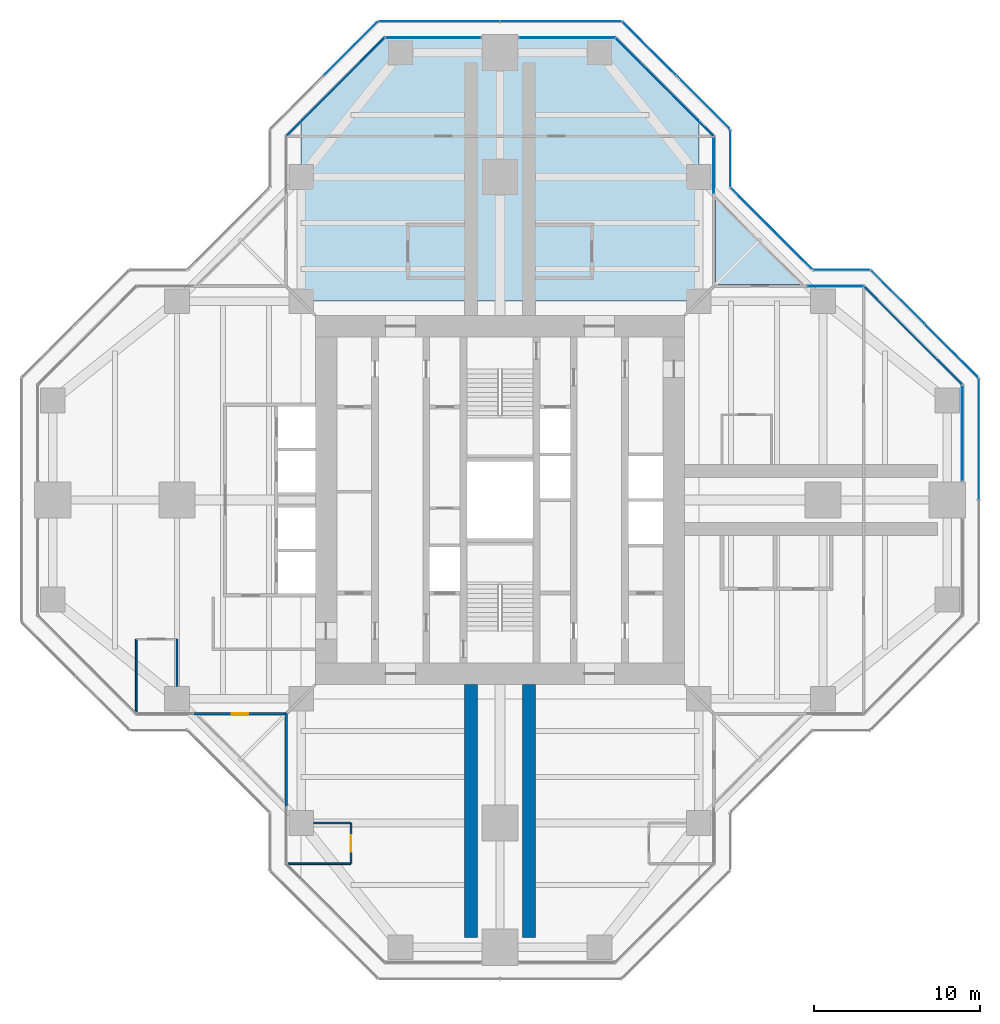
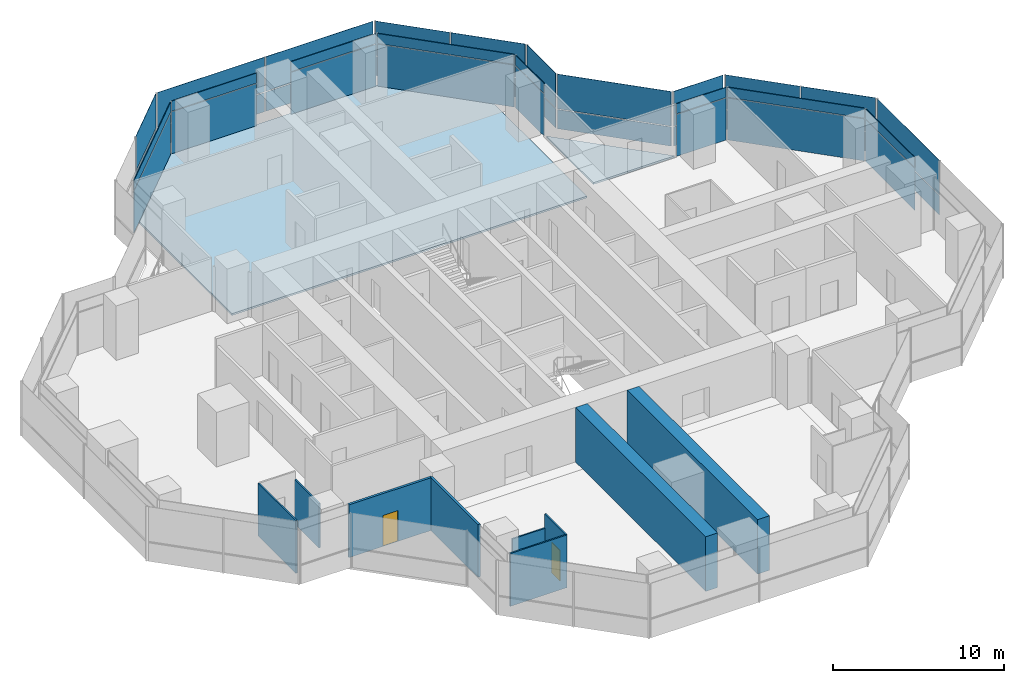
# One storey, part 12 of 17: 38 plates, 9 walls, 2 doors, 2 slabs, 2 openings, 16 elements without a shape of their own.
"""IFC4 building model written with IfcOpenShell, lengths in metres."""

from ifc_helpers import new_model, si_unit, direction, frame, frame_2d, origin, origin_2d, place, context, subcontext, project, spatial, polyline, rectangle, outline, extrude, material, layer, layer_set, type_object, element, fill, aggregate, save


model = new_model("IFC4")

# Units and contexts
model_context = context("Model", 3, precision=1e-05, world=origin(), true_north=direction((0.0, 1.0)))
body_context = subcontext(model_context, "Body", "Model", "MODEL_VIEW")
ifc_project = project(units=[si_unit("LENGTHUNIT", "METRE"), si_unit("AREAUNIT", "SQUARE_METRE"), si_unit("VOLUMEUNIT", "CUBIC_METRE"), si_unit("PLANEANGLEUNIT", "RADIAN"), si_unit("MASSUNIT", "GRAM", prefix="KILO")], contexts=[model_context])

# Site, building, storey
site_placement = place(None, origin())
site = spatial("IfcSite", under=ifc_project, at=site_placement, CompositionType="ELEMENT")
building_placement = place(site_placement, origin())
building = spatial("IfcBuilding", under=site, at=building_placement, Name="Mizan Broadcast Tower", CompositionType="ELEMENT")
storey_placement = place(building_placement, frame((0.0, 0.0, 232.199951171875)))
storey = spatial("IfcBuildingStorey", under=building, at=storey_placement, Name="L54", CompositionType="ELEMENT", Elevation=232.199951171875)

# Slab
ifc_material_1 = material(Name="Concrete C32/40", Category="concrete")
ifc_layer_1 = layer(ifc_material_1, 0.1298828125)
ifc_layer_set_1 = layer_set([ifc_layer_1], Name="Concrete C32/40")
slab_type_1 = type_object("IfcSlabType", Name="COMPOSITE DECK SLAB 130", PredefinedType="FLOOR", material=ifc_layer_set_1)
slab_1_placement = place(storey_placement, frame((0.0, 0.0, -0.1298828125)))
element("IfcSlab", 1, at=slab_1_placement, inside=storey, type_object=slab_type_1, Name="Floor slab L54 north arm", PredefinedType="FLOOR", context=body_context, shape_type="SweptSolid", body=[
    extrude(outline(polyline([(-7.0, 28.0), (-12.0, 23.0), (-12.0, 12.0), (12.0, 12.0), (12.0, 23.0), (7.0, 28.0), (-7.0, 28.0)])), origin(), (0.0, 0.0, 1.0), 0.1298828125),
])

# Curtain wall, plate
ifc_material_2 = material(Name="Aluminium framed glazing", Category="aluminium")
curtain_wall_type_1 = type_object("IfcCurtainWallType", Name="INNER SKIN HIGH ZONE", PredefinedType="USERDEFINED", material=ifc_material_2)
curtain_wall_1_placement = place(storey_placement, origin())
curtain_wall_1 = element("IfcCurtainWall", 2, at=curtain_wall_1_placement, inside=storey, type_object=curtain_wall_type_1, Name="Inner skin high zone L54 E end", ObjectType="INNER SKIN HIGH ZONE", PredefinedType="USERDEFINED")
ifc_material_3 = material(Name="Double glazing, clear low-e", Category="glass")
ifc_layer_2 = layer(ifc_material_3, 0.028076171875)
ifc_layer_set_2 = layer_set([ifc_layer_2], Name="Double glazing, clear low-e")
plate_type_1 = type_object("IfcPlateType", Name="INNER SKIN GLAZING UNIT", PredefinedType="CURTAIN_PANEL", material=ifc_layer_set_2)
plate_1_placement = place(storey_placement, frame((27.89990234375, 4.029296875, 0.0), z_axis=(0.0, 0.0, 1.0), x_axis=(0.0, 1.0, 0.0)))
plate_1 = element("IfcPlate", 3, at=plate_1_placement, type_object=plate_type_1, Name="Inner skin high zone L54 E end panel 1.1", PredefinedType="CURTAIN_PANEL", context=body_context, shape_type="SweptSolid", body=[
    extrude(rectangle(XDim=5.738525390625, YDim=0.028076171875, at=origin_2d()), origin(), (0.0, 0.0, 1.0), 3.0),
])

curtain_wall_2_placement = place(storey_placement, origin())
curtain_wall_2 = element("IfcCurtainWall", 4, at=curtain_wall_2_placement, inside=storey, type_object=curtain_wall_type_1, Name="Inner skin high zone L54 E chamfer", ObjectType="INNER SKIN HIGH ZONE", PredefinedType="USERDEFINED")
plate_2_placement = place(storey_placement, frame((24.92919921875, 9.92919921875, 0.0), z_axis=(0.0, 0.0, 1.0), x_axis=(-0.707106781187, 0.707106781187, 0.0)))
plate_2 = element("IfcPlate", 5, at=plate_2_placement, type_object=plate_type_1, Name="Inner skin high zone L54 E chamfer panel 1.1", PredefinedType="CURTAIN_PANEL", context=body_context, shape_type="SweptSolid", body=[
    extrude(rectangle(XDim=8.282470703125, YDim=0.028076171875, at=origin_2d()), origin(), (0.0, 0.0, 1.0), 3.0),
])

curtain_wall_3_placement = place(storey_placement, origin())
curtain_wall_3 = element("IfcCurtainWall", 6, at=curtain_wall_3_placement, inside=storey, type_object=curtain_wall_type_1, Name="Inner skin high zone L54 E side", ObjectType="INNER SKIN HIGH ZONE", PredefinedType="USERDEFINED")
plate_3_placement = place(storey_placement, frame((20.229248046875, 12.89990234375, 0.0), z_axis=(0.0, 0.0, 1.0), x_axis=(-1.0, 0.0, 0.0)))
plate_3 = element("IfcPlate", 7, at=plate_3_placement, type_object=plate_type_1, Name="Inner skin high zone L54 E side panel 1.1", PredefinedType="CURTAIN_PANEL", context=body_context, shape_type="SweptSolid", body=[
    extrude(rectangle(XDim=3.338623046875, YDim=0.028076171875, at=origin_2d()), origin(), (0.0, 0.0, 1.0), 3.0),
])

curtain_wall_4_placement = place(storey_placement, origin())
curtain_wall_4 = element("IfcCurtainWall", 8, at=curtain_wall_4_placement, inside=storey, type_object=curtain_wall_type_1, Name="Inner skin high zone L54 N side", ObjectType="INNER SKIN HIGH ZONE", PredefinedType="USERDEFINED")
plate_4_placement = place(storey_placement, frame((12.89990234375, 20.229248046875, 0.0), z_axis=(0.0, 0.0, 1.0), x_axis=(0.0, 1.0, 0.0)))
plate_4 = element("IfcPlate", 9, at=plate_4_placement, type_object=plate_type_1, Name="Inner skin high zone L54 N side panel 1.1", PredefinedType="CURTAIN_PANEL", context=body_context, shape_type="SweptSolid", body=[
    extrude(rectangle(XDim=3.338623046875, YDim=0.028076171875, at=origin_2d()), origin(), (0.0, 0.0, 1.0), 3.0),
])

curtain_wall_5_placement = place(storey_placement, origin())
curtain_wall_5 = element("IfcCurtainWall", 10, at=curtain_wall_5_placement, inside=storey, type_object=curtain_wall_type_1, Name="Inner skin high zone L54 N chamfer", ObjectType="INNER SKIN HIGH ZONE", PredefinedType="USERDEFINED")
plate_5_placement = place(storey_placement, frame((9.92919921875, 24.92919921875, 0.0), z_axis=(0.0, 0.0, 1.0), x_axis=(-0.707106781187, 0.707106781187, 0.0)))
plate_5 = element("IfcPlate", 11, at=plate_5_placement, type_object=plate_type_1, Name="Inner skin high zone L54 N chamfer panel 1.1", PredefinedType="CURTAIN_PANEL", context=body_context, shape_type="SweptSolid", body=[
    extrude(rectangle(XDim=8.282470703125, YDim=0.028076171875, at=origin_2d()), origin(), (0.0, 0.0, 1.0), 3.0),
])

curtain_wall_6_placement = place(storey_placement, origin())
curtain_wall_6 = element("IfcCurtainWall", 12, at=curtain_wall_6_placement, inside=storey, type_object=curtain_wall_type_1, Name="Inner skin high zone L54 N end", ObjectType="INNER SKIN HIGH ZONE", PredefinedType="USERDEFINED")
plate_6_placement = place(storey_placement, frame((4.029296875, 27.89990234375, 0.0), z_axis=(0.0, 0.0, 1.0), x_axis=(-1.0, 0.0, 0.0)))
plate_6 = element("IfcPlate", 13, at=plate_6_placement, type_object=plate_type_1, Name="Inner skin high zone L54 N end panel 1.1", PredefinedType="CURTAIN_PANEL", context=body_context, shape_type="SweptSolid", body=[
    extrude(rectangle(XDim=5.738525390625, YDim=0.028076171875, at=origin_2d()), origin(), (0.0, 0.0, 1.0), 3.0),
])

curtain_wall_7_placement = place(storey_placement, origin())
curtain_wall_7 = element("IfcCurtainWall", 14, at=curtain_wall_7_placement, inside=storey, type_object=curtain_wall_type_1, Name="Inner skin high zone L54 N end", ObjectType="INNER SKIN HIGH ZONE", PredefinedType="USERDEFINED")
plate_7_placement = place(storey_placement, frame((-4.029296875, 27.89990234375, 0.0), z_axis=(0.0, 0.0, 1.0), x_axis=(-1.0, 0.0, 0.0)))
plate_7 = element("IfcPlate", 15, at=plate_7_placement, type_object=plate_type_1, Name="Inner skin high zone L54 N end panel 1.1", PredefinedType="CURTAIN_PANEL", context=body_context, shape_type="SweptSolid", body=[
    extrude(rectangle(XDim=5.738525390625, YDim=0.028076171875, at=origin_2d()), origin(), (0.0, 0.0, 1.0), 3.0),
])

curtain_wall_8_placement = place(storey_placement, origin())
curtain_wall_8 = element("IfcCurtainWall", 16, at=curtain_wall_8_placement, inside=storey, type_object=curtain_wall_type_1, Name="Inner skin high zone L54 N chamfer", ObjectType="INNER SKIN HIGH ZONE", PredefinedType="USERDEFINED")
plate_8_placement = place(storey_placement, frame((-9.92919921875, 24.92919921875, 0.0), z_axis=(0.0, 0.0, 1.0), x_axis=(-0.707106781187, -0.707106781187, 0.0)))
plate_8 = element("IfcPlate", 17, at=plate_8_placement, type_object=plate_type_1, Name="Inner skin high zone L54 N chamfer panel 1.1", PredefinedType="CURTAIN_PANEL", context=body_context, shape_type="SweptSolid", body=[
    extrude(rectangle(XDim=8.282470703125, YDim=0.028076171875, at=origin_2d()), origin(), (0.0, 0.0, 1.0), 3.0),
])

# Plate
ifc_material_4 = material(Name="Insulated aluminium spandrel panel, pale anodised", Category="aluminium")
ifc_layer_3 = layer(ifc_material_4, 0.050048828125)
ifc_layer_set_3 = layer_set([ifc_layer_3], Name="Insulated aluminium spandrel panel, pale anodised")
plate_type_2 = type_object("IfcPlateType", Name="INNER SKIN SPANDREL PANEL", PredefinedType="CURTAIN_PANEL", material=ifc_layer_set_3)
plate_9_placement = place(storey_placement, frame((27.89990234375, 4.029296875, 3.06005859375), z_axis=(0.0, 0.0, 1.0), x_axis=(0.0, 1.0, 0.0)))
plate_9 = element("IfcPlate", 18, at=plate_9_placement, type_object=plate_type_2, Name="Inner skin high zone L54 E end panel 1.2", PredefinedType="CURTAIN_PANEL", context=body_context, shape_type="SweptSolid", body=[
    extrude(rectangle(XDim=5.738525390625, YDim=0.050048828125, at=origin_2d()), origin(), (0.0, 0.0, 1.0), 0.7099609375),
])

aggregate(curtain_wall_1, [plate_1, plate_9])

plate_10_placement = place(storey_placement, frame((24.92919921875, 9.92919921875, 3.06005859375), z_axis=(0.0, 0.0, 1.0), x_axis=(-0.707106781187, 0.707106781187, 0.0)))
plate_10 = element("IfcPlate", 19, at=plate_10_placement, type_object=plate_type_2, Name="Inner skin high zone L54 E chamfer panel 1.2", PredefinedType="CURTAIN_PANEL", context=body_context, shape_type="SweptSolid", body=[
    extrude(rectangle(XDim=8.282470703125, YDim=0.050048828125, at=origin_2d()), origin(), (0.0, 0.0, 1.0), 0.7099609375),
])

aggregate(curtain_wall_2, [plate_2, plate_10])

plate_11_placement = place(storey_placement, frame((20.229248046875, 12.89990234375, 3.06005859375), z_axis=(0.0, 0.0, 1.0), x_axis=(-1.0, 0.0, 0.0)))
plate_11 = element("IfcPlate", 20, at=plate_11_placement, type_object=plate_type_2, Name="Inner skin high zone L54 E side panel 1.2", PredefinedType="CURTAIN_PANEL", context=body_context, shape_type="SweptSolid", body=[
    extrude(rectangle(XDim=3.338623046875, YDim=0.050048828125, at=origin_2d()), origin(), (0.0, 0.0, 1.0), 0.7099609375),
])

aggregate(curtain_wall_3, [plate_3, plate_11])

plate_12_placement = place(storey_placement, frame((12.89990234375, 20.229248046875, 3.06005859375), z_axis=(0.0, 0.0, 1.0), x_axis=(0.0, 1.0, 0.0)))
plate_12 = element("IfcPlate", 21, at=plate_12_placement, type_object=plate_type_2, Name="Inner skin high zone L54 N side panel 1.2", PredefinedType="CURTAIN_PANEL", context=body_context, shape_type="SweptSolid", body=[
    extrude(rectangle(XDim=3.338623046875, YDim=0.050048828125, at=origin_2d()), origin(), (0.0, 0.0, 1.0), 0.7099609375),
])

aggregate(curtain_wall_4, [plate_4, plate_12])

plate_13_placement = place(storey_placement, frame((9.92919921875, 24.92919921875, 3.06005859375), z_axis=(0.0, 0.0, 1.0), x_axis=(-0.707106781187, 0.707106781187, 0.0)))
plate_13 = element("IfcPlate", 22, at=plate_13_placement, type_object=plate_type_2, Name="Inner skin high zone L54 N chamfer panel 1.2", PredefinedType="CURTAIN_PANEL", context=body_context, shape_type="SweptSolid", body=[
    extrude(rectangle(XDim=8.282470703125, YDim=0.050048828125, at=origin_2d()), origin(), (0.0, 0.0, 1.0), 0.7099609375),
])

aggregate(curtain_wall_5, [plate_5, plate_13])

plate_14_placement = place(storey_placement, frame((4.029296875, 27.89990234375, 3.06005859375), z_axis=(0.0, 0.0, 1.0), x_axis=(-1.0, 0.0, 0.0)))
plate_14 = element("IfcPlate", 23, at=plate_14_placement, type_object=plate_type_2, Name="Inner skin high zone L54 N end panel 1.2", PredefinedType="CURTAIN_PANEL", context=body_context, shape_type="SweptSolid", body=[
    extrude(rectangle(XDim=5.738525390625, YDim=0.050048828125, at=origin_2d()), origin(), (0.0, 0.0, 1.0), 0.7099609375),
])

aggregate(curtain_wall_6, [plate_6, plate_14])

plate_15_placement = place(storey_placement, frame((-4.029296875, 27.89990234375, 3.06005859375), z_axis=(0.0, 0.0, 1.0), x_axis=(-1.0, 0.0, 0.0)))
plate_15 = element("IfcPlate", 24, at=plate_15_placement, type_object=plate_type_2, Name="Inner skin high zone L54 N end panel 1.2", PredefinedType="CURTAIN_PANEL", context=body_context, shape_type="SweptSolid", body=[
    extrude(rectangle(XDim=5.738525390625, YDim=0.050048828125, at=origin_2d()), origin(), (0.0, 0.0, 1.0), 0.7099609375),
])

aggregate(curtain_wall_7, [plate_7, plate_15])

plate_16_placement = place(storey_placement, frame((-9.92919921875, 24.92919921875, 3.06005859375), z_axis=(0.0, 0.0, 1.0), x_axis=(-0.707106781187, -0.707106781187, 0.0)))
plate_16 = element("IfcPlate", 25, at=plate_16_placement, type_object=plate_type_2, Name="Inner skin high zone L54 N chamfer panel 1.2", PredefinedType="CURTAIN_PANEL", context=body_context, shape_type="SweptSolid", body=[
    extrude(rectangle(XDim=8.282470703125, YDim=0.050048828125, at=origin_2d()), origin(), (0.0, 0.0, 1.0), 0.7099609375),
])

aggregate(curtain_wall_8, [plate_8, plate_16])

# Curtain wall, plates
ifc_material_5 = material(Name="Aluminium framed glazing", Category="aluminium")
curtain_wall_type_2 = type_object("IfcCurtainWallType", Name="OUTER SKIN", PredefinedType="USERDEFINED", material=ifc_material_5)
curtain_wall_9_placement = place(storey_placement, origin())
curtain_wall_9 = element("IfcCurtainWall", 26, at=curtain_wall_9_placement, inside=storey, type_object=curtain_wall_type_2, Name="Outer skin L54 E chamfer", ObjectType="OUTER SKIN", PredefinedType="USERDEFINED")
ifc_material_6 = material(Name="Laminated clear glass", Category="glass")
ifc_layer_4 = layer(ifc_material_6, 0.02001953125)
ifc_layer_set_4 = layer_set([ifc_layer_4], Name="Laminated clear glass")
plate_type_3 = type_object("IfcPlateType", Name="OUTER SKIN CLEAR GLASS", PredefinedType="CURTAIN_PANEL", material=ifc_layer_set_4)
plate_17_placement = place(storey_placement, frame((27.254150390625, 9.018798828125, 0.0), z_axis=(0.0, 0.0, 1.0), x_axis=(-0.707106781187, 0.707106781187, 0.0)))
plate_17 = element("IfcPlate", 27, at=plate_17_placement, type_object=plate_type_3, Name="Outer skin L54 E chamfer panel 1.1", PredefinedType="CURTAIN_PANEL", context=body_context, shape_type="SweptSolid", body=[
    extrude(rectangle(XDim=4.495361328125, YDim=0.02001953125, at=origin_2d()), origin(), (0.0, 0.0, 1.0), 1.3701171875),
])
plate_18_placement = place(storey_placement, frame((27.254150390625, 9.018798828125, 1.43017578125), z_axis=(0.0, 0.0, 1.0), x_axis=(-0.707106781187, 0.707106781187, 0.0)))
plate_18 = element("IfcPlate", 28, at=plate_18_placement, type_object=plate_type_3, Name="Outer skin L54 E chamfer panel 1.2", PredefinedType="CURTAIN_PANEL", context=body_context, shape_type="SweptSolid", body=[
    extrude(rectangle(XDim=4.495361328125, YDim=0.02001953125, at=origin_2d()), origin(), (0.0, 0.0, 1.0), 2.469970703125),
])

curtain_wall_10_placement = place(storey_placement, origin())
curtain_wall_10 = element("IfcCurtainWall", 29, at=curtain_wall_10_placement, inside=storey, type_object=curtain_wall_type_2, Name="Outer skin L54 E side", ObjectType="OUTER SKIN", PredefinedType="USERDEFINED")
plate_19_placement = place(storey_placement, frame((20.622802734375, 13.89990234375, 0.0), z_axis=(0.0, 0.0, 1.0), x_axis=(-1.0, 0.0, 0.0)))
plate_19 = element("IfcPlate", 30, at=plate_19_placement, type_object=plate_type_3, Name="Outer skin L54 E side panel 1.1", PredefinedType="CURTAIN_PANEL", context=body_context, shape_type="SweptSolid", body=[
    extrude(rectangle(XDim=3.340087890625, YDim=0.02001953125, at=origin_2d()), origin(), (0.0, 0.0, 1.0), 1.3701171875),
])
plate_20_placement = place(storey_placement, frame((20.622802734375, 13.89990234375, 1.43017578125), z_axis=(0.0, 0.0, 1.0), x_axis=(-1.0, 0.0, 0.0)))
plate_20 = element("IfcPlate", 31, at=plate_20_placement, type_object=plate_type_3, Name="Outer skin L54 E side panel 1.2", PredefinedType="CURTAIN_PANEL", context=body_context, shape_type="SweptSolid", body=[
    extrude(rectangle(XDim=3.340087890625, YDim=0.02001953125, at=origin_2d()), origin(), (0.0, 0.0, 1.0), 2.469970703125),
])
aggregate(curtain_wall_10, [plate_19, plate_20])

curtain_wall_11_placement = place(storey_placement, origin())
curtain_wall_11 = element("IfcCurtainWall", 32, at=curtain_wall_11_placement, inside=storey, type_object=curtain_wall_type_2, Name="Outer skin L54 E chamfer", ObjectType="OUTER SKIN", PredefinedType="USERDEFINED")
plate_21_placement = place(storey_placement, frame((16.386474609375, 16.386474609375, 0.0), z_axis=(0.0, 0.0, 1.0), x_axis=(-0.707106781187, 0.707106781187, 0.0)))
plate_21 = element("IfcPlate", 33, at=plate_21_placement, type_object=plate_type_3, Name="Outer skin L54 E chamfer panel 1.1", PredefinedType="CURTAIN_PANEL", context=body_context, shape_type="SweptSolid", body=[
    extrude(rectangle(XDim=6.87255859375, YDim=0.02001953125, at=origin_2d()), origin(), (0.0, 0.0, 1.0), 1.3701171875),
])
plate_22_placement = place(storey_placement, frame((16.386474609375, 16.386474609375, 1.43017578125), z_axis=(0.0, 0.0, 1.0), x_axis=(-0.707106781187, 0.707106781187, 0.0)))
plate_22 = element("IfcPlate", 34, at=plate_22_placement, type_object=plate_type_3, Name="Outer skin L54 E chamfer panel 1.2", PredefinedType="CURTAIN_PANEL", context=body_context, shape_type="SweptSolid", body=[
    extrude(rectangle(XDim=6.87255859375, YDim=0.02001953125, at=origin_2d()), origin(), (0.0, 0.0, 1.0), 2.469970703125),
])
aggregate(curtain_wall_11, [plate_21, plate_22])

curtain_wall_12_placement = place(storey_placement, origin())
curtain_wall_12 = element("IfcCurtainWall", 35, at=curtain_wall_12_placement, inside=storey, type_object=curtain_wall_type_2, Name="Outer skin L54 N side", ObjectType="OUTER SKIN", PredefinedType="USERDEFINED")
plate_23_placement = place(storey_placement, frame((13.89990234375, 20.622802734375, 0.0), z_axis=(0.0, 0.0, 1.0), x_axis=(0.0, 1.0, 0.0)))
plate_23 = element("IfcPlate", 36, at=plate_23_placement, type_object=plate_type_3, Name="Outer skin L54 N side panel 1.1", PredefinedType="CURTAIN_PANEL", context=body_context, shape_type="SweptSolid", body=[
    extrude(rectangle(XDim=3.340087890625, YDim=0.02001953125, at=origin_2d()), origin(), (0.0, 0.0, 1.0), 1.3701171875),
])
plate_24_placement = place(storey_placement, frame((13.89990234375, 20.622802734375, 1.43017578125), z_axis=(0.0, 0.0, 1.0), x_axis=(0.0, 1.0, 0.0)))
plate_24 = element("IfcPlate", 37, at=plate_24_placement, type_object=plate_type_3, Name="Outer skin L54 N side panel 1.2", PredefinedType="CURTAIN_PANEL", context=body_context, shape_type="SweptSolid", body=[
    extrude(rectangle(XDim=3.340087890625, YDim=0.02001953125, at=origin_2d()), origin(), (0.0, 0.0, 1.0), 2.469970703125),
])
aggregate(curtain_wall_12, [plate_23, plate_24])

curtain_wall_13_placement = place(storey_placement, origin())
curtain_wall_13 = element("IfcCurtainWall", 38, at=curtain_wall_13_placement, inside=storey, type_object=curtain_wall_type_2, Name="Outer skin L54 N chamfer", ObjectType="OUTER SKIN", PredefinedType="USERDEFINED")
plate_25_placement = place(storey_placement, frame((12.254150390625, 24.018798828125, 0.0), z_axis=(0.0, 0.0, 1.0), x_axis=(-0.707106781187, 0.707106781187, 0.0)))
plate_25 = element("IfcPlate", 39, at=plate_25_placement, type_object=plate_type_3, Name="Outer skin L54 N chamfer panel 1.1", PredefinedType="CURTAIN_PANEL", context=body_context, shape_type="SweptSolid", body=[
    extrude(rectangle(XDim=4.495361328125, YDim=0.02001953125, at=origin_2d()), origin(), (0.0, 0.0, 1.0), 1.3701171875),
])
plate_26_placement = place(storey_placement, frame((12.254150390625, 24.018798828125, 1.43017578125), z_axis=(0.0, 0.0, 1.0), x_axis=(-0.707106781187, 0.707106781187, 0.0)))
plate_26 = element("IfcPlate", 40, at=plate_26_placement, type_object=plate_type_3, Name="Outer skin L54 N chamfer panel 1.2", PredefinedType="CURTAIN_PANEL", context=body_context, shape_type="SweptSolid", body=[
    extrude(rectangle(XDim=4.495361328125, YDim=0.02001953125, at=origin_2d()), origin(), (0.0, 0.0, 1.0), 2.469970703125),
])

curtain_wall_14_placement = place(storey_placement, origin())
curtain_wall_14 = element("IfcCurtainWall", 41, at=curtain_wall_14_placement, inside=storey, type_object=curtain_wall_type_2, Name="Outer skin L54 N end", ObjectType="OUTER SKIN", PredefinedType="USERDEFINED")
plate_27_placement = place(storey_placement, frame((3.66650390625, 28.89990234375, 0.0), z_axis=(0.0, 0.0, 1.0), x_axis=(-1.0, 0.0, 0.0)))
plate_27 = element("IfcPlate", 42, at=plate_27_placement, type_object=plate_type_3, Name="Outer skin L54 N end panel 1.1", PredefinedType="CURTAIN_PANEL", context=body_context, shape_type="SweptSolid", body=[
    extrude(rectangle(XDim=7.252685546875, YDim=0.02001953125, at=origin_2d()), origin(), (0.0, 0.0, 1.0), 1.3701171875),
])
plate_28_placement = place(storey_placement, frame((3.66650390625, 28.89990234375, 1.43017578125), z_axis=(0.0, 0.0, 1.0), x_axis=(-1.0, 0.0, 0.0)))
plate_28 = element("IfcPlate", 43, at=plate_28_placement, type_object=plate_type_3, Name="Outer skin L54 N end panel 1.2", PredefinedType="CURTAIN_PANEL", context=body_context, shape_type="SweptSolid", body=[
    extrude(rectangle(XDim=7.252685546875, YDim=0.02001953125, at=origin_2d()), origin(), (0.0, 0.0, 1.0), 2.469970703125),
])
plate_29_placement = place(storey_placement, frame((-3.66650390625, 28.89990234375, 0.0), z_axis=(0.0, 0.0, 1.0), x_axis=(-1.0, 0.0, 0.0)))
plate_29 = element("IfcPlate", 44, at=plate_29_placement, type_object=plate_type_3, Name="Outer skin L54 N end panel 2.1", PredefinedType="CURTAIN_PANEL", context=body_context, shape_type="SweptSolid", body=[
    extrude(rectangle(XDim=7.252685546875, YDim=0.02001953125, at=origin_2d()), origin(), (0.0, 0.0, 1.0), 1.3701171875),
])
plate_30_placement = place(storey_placement, frame((-3.66650390625, 28.89990234375, 1.43017578125), z_axis=(0.0, 0.0, 1.0), x_axis=(-1.0, 0.0, 0.0)))
plate_30 = element("IfcPlate", 45, at=plate_30_placement, type_object=plate_type_3, Name="Outer skin L54 N end panel 2.2", PredefinedType="CURTAIN_PANEL", context=body_context, shape_type="SweptSolid", body=[
    extrude(rectangle(XDim=7.252685546875, YDim=0.02001953125, at=origin_2d()), origin(), (0.0, 0.0, 1.0), 2.469970703125),
])
aggregate(curtain_wall_14, [plate_27, plate_28, plate_29, plate_30])

curtain_wall_15_placement = place(storey_placement, origin())
curtain_wall_15 = element("IfcCurtainWall", 46, at=curtain_wall_15_placement, inside=storey, type_object=curtain_wall_type_2, Name="Outer skin L54 N chamfer", ObjectType="OUTER SKIN", PredefinedType="USERDEFINED")
plate_31_placement = place(storey_placement, frame((-9.018798828125, 27.254150390625, 0.0), z_axis=(0.0, 0.0, 1.0), x_axis=(-0.707106781187, -0.707106781187, 0.0)))
plate_31 = element("IfcPlate", 47, at=plate_31_placement, type_object=plate_type_3, Name="Outer skin L54 N chamfer panel 1.1", PredefinedType="CURTAIN_PANEL", context=body_context, shape_type="SweptSolid", body=[
    extrude(rectangle(XDim=4.495361328125, YDim=0.02001953125, at=origin_2d()), origin(), (0.0, 0.0, 1.0), 1.3701171875),
])
plate_32_placement = place(storey_placement, frame((-9.018798828125, 27.254150390625, 1.43017578125), z_axis=(0.0, 0.0, 1.0), x_axis=(-0.707106781187, -0.707106781187, 0.0)))
plate_32 = element("IfcPlate", 48, at=plate_32_placement, type_object=plate_type_3, Name="Outer skin L54 N chamfer panel 1.2", PredefinedType="CURTAIN_PANEL", context=body_context, shape_type="SweptSolid", body=[
    extrude(rectangle(XDim=4.495361328125, YDim=0.02001953125, at=origin_2d()), origin(), (0.0, 0.0, 1.0), 2.469970703125),
])
aggregate(curtain_wall_15, [plate_31, plate_32])

curtain_wall_16_placement = place(storey_placement, origin())
curtain_wall_16 = element("IfcCurtainWall", 49, at=curtain_wall_16_placement, inside=storey, type_object=curtain_wall_type_2, Name="Outer skin L54 E end", ObjectType="OUTER SKIN", PredefinedType="USERDEFINED")
ifc_material_7 = material(Name="Perforated aluminium, pale anodised", Category="aluminium")
ifc_layer_5 = layer(ifc_material_7, 0.011962890625)
ifc_layer_set_5 = layer_set([ifc_layer_5], Name="Perforated aluminium, pale anodised")
plate_type_4 = type_object("IfcPlateType", Name="OUTER SKIN PERFORATED SCREEN", PredefinedType="USERDEFINED", material=ifc_layer_set_5)
plate_33_placement = place(storey_placement, frame((28.89990234375, 3.66650390625, 0.0), z_axis=(0.0, 0.0, 1.0), x_axis=(0.0, 1.0, 0.0)))
plate_33 = element("IfcPlate", 50, at=plate_33_placement, type_object=plate_type_4, Name="Outer skin L54 E end panel 2.1", ObjectType="SCREEN", PredefinedType="USERDEFINED", context=body_context, shape_type="SweptSolid", body=[
    extrude(rectangle(XDim=7.252685546875, YDim=0.011962890625, at=origin_2d()), origin(), (0.0, 0.0, 1.0), 1.3701171875),
])
plate_34_placement = place(storey_placement, frame((28.89990234375, 3.66650390625, 1.43017578125), z_axis=(0.0, 0.0, 1.0), x_axis=(0.0, 1.0, 0.0)))
plate_34 = element("IfcPlate", 51, at=plate_34_placement, type_object=plate_type_4, Name="Outer skin L54 E end panel 2.2", ObjectType="SCREEN", PredefinedType="USERDEFINED", context=body_context, shape_type="SweptSolid", body=[
    extrude(rectangle(XDim=7.252685546875, YDim=0.011962890625, at=origin_2d()), origin(), (0.0, 0.0, 1.0), 2.469970703125),
])
aggregate(curtain_wall_16, [plate_33, plate_34])

# Plate
plate_35_placement = place(storey_placement, frame((24.018798828125, 12.254150390625, 0.0), z_axis=(0.0, 0.0, 1.0), x_axis=(-0.707106781187, 0.707106781187, 0.0)))
plate_35 = element("IfcPlate", 52, at=plate_35_placement, type_object=plate_type_4, Name="Outer skin L54 E chamfer panel 2.1", ObjectType="SCREEN", PredefinedType="USERDEFINED", context=body_context, shape_type="SweptSolid", body=[
    extrude(rectangle(XDim=4.495361328125, YDim=0.011962890625, at=origin_2d()), origin(), (0.0, 0.0, 1.0), 1.3701171875),
])

plate_36_placement = place(storey_placement, frame((24.018798828125, 12.254150390625, 1.43017578125), z_axis=(0.0, 0.0, 1.0), x_axis=(-0.707106781187, 0.707106781187, 0.0)))
plate_36 = element("IfcPlate", 53, at=plate_36_placement, type_object=plate_type_4, Name="Outer skin L54 E chamfer panel 2.2", ObjectType="SCREEN", PredefinedType="USERDEFINED", context=body_context, shape_type="SweptSolid", body=[
    extrude(rectangle(XDim=4.495361328125, YDim=0.011962890625, at=origin_2d()), origin(), (0.0, 0.0, 1.0), 2.469970703125),
])

aggregate(curtain_wall_9, [plate_17, plate_18, plate_35, plate_36])

plate_37_placement = place(storey_placement, frame((9.018798828125, 27.254150390625, 0.0), z_axis=(0.0, 0.0, 1.0), x_axis=(-0.707106781187, 0.707106781187, 0.0)))
plate_37 = element("IfcPlate", 54, at=plate_37_placement, type_object=plate_type_4, Name="Outer skin L54 N chamfer panel 2.1", ObjectType="SCREEN", PredefinedType="USERDEFINED", context=body_context, shape_type="SweptSolid", body=[
    extrude(rectangle(XDim=4.495361328125, YDim=0.011962890625, at=origin_2d()), origin(), (0.0, 0.0, 1.0), 1.3701171875),
])

plate_38_placement = place(storey_placement, frame((9.018798828125, 27.254150390625, 1.43017578125), z_axis=(0.0, 0.0, 1.0), x_axis=(-0.707106781187, 0.707106781187, 0.0)))
plate_38 = element("IfcPlate", 55, at=plate_38_placement, type_object=plate_type_4, Name="Outer skin L54 N chamfer panel 2.2", ObjectType="SCREEN", PredefinedType="USERDEFINED", context=body_context, shape_type="SweptSolid", body=[
    extrude(rectangle(XDim=4.495361328125, YDim=0.011962890625, at=origin_2d()), origin(), (0.0, 0.0, 1.0), 2.469970703125),
])

aggregate(curtain_wall_13, [plate_25, plate_26, plate_37, plate_38])

# Slab
ifc_material_8 = material(Name="Concrete C32/40", Category="concrete")
ifc_layer_6 = layer(ifc_material_8, 0.1298828125)
ifc_layer_set_6 = layer_set([ifc_layer_6], Name="Concrete C32/40")
slab_type_2 = type_object("IfcSlabType", Name="WINTER GARDEN SLAB 130", PredefinedType="FLOOR", material=ifc_layer_set_6)
slab_2_placement = place(storey_placement, frame((0.0, 0.0, -0.1298828125)))
element("IfcSlab", 56, at=slab_2_placement, inside=storey, type_object=slab_type_2, Name="Winter garden slab L54 E", PredefinedType="FLOOR", context=body_context, shape_type="SweptSolid", body=[
    extrude(outline(polyline([(13.0, 13.0), (18.5, 13.0), (13.0, 18.5), (13.0, 13.0)])), origin(), (0.0, 0.0, 1.0), 0.1298828125),
])

# Wall, opening, door
ifc_material_9 = material(Name="Aluminium framed glazed screen", Category="aluminium")
ifc_layer_7 = layer(ifc_material_9, 0.159912109375)
ifc_layer_set_7 = layer_set([ifc_layer_7], Name="Aluminium framed glazed screen")
wall_type_1 = type_object("IfcWallType", Name="GLAZED SCREEN WALL 160", PredefinedType="SOLIDWALL", material=ifc_layer_set_7)
wall_1_placement = place(storey_placement, frame((-18.5, -12.89990234375, 0.0), z_axis=(0.0, 0.0, 1.0), x_axis=(1.0, 0.0, 0.0)))
wall_1 = element("IfcWall", 57, at=wall_1_placement, inside=storey, type_object=wall_type_1, Name="Winter garden screen L54 W", PredefinedType="SOLIDWALL", context=body_context, shape_type="SweptSolid", body=[
    extrude(rectangle(XDim=5.60009765625, YDim=0.159912109375, at=frame_2d((2.800048828125, 0.0))), origin(), (0.0, 0.0, 1.0), 3.77001953125),
])
opening_1_placement = place(wall_1_placement, frame((2.300048828125, 0.0, 0.0)))
opening_1 = element("IfcOpeningElement", 58, at=opening_1_placement, cuts=wall_1, Name="Opening WGD", PredefinedType="OPENING", context=body_context, shape_type="SweptSolid", body=[
    extrude(rectangle(XDim=1.0, YDim=2.199951171875, at=frame_2d((0.5, 1.10009765625))), frame((0.0, 0.08984375, 0.0), z_axis=(0.0, -1.0, 0.0), x_axis=(1.0, 0.0, 0.0)), (0.0, 0.0, 1.0), 0.179931640625),
])
ifc_material_10 = material(Name="Aluminium framed glazed door", Category="aluminium")
door_type_1 = type_object("IfcDoorType", Name="WINTER GARDEN DOOR 1000 GLAZED", OperationType="SINGLE_SWING_LEFT", PredefinedType="DOOR", material=ifc_material_10)
door_1_placement = place(opening_1_placement, origin())
door_1 = element("IfcDoor", 59, at=door_1_placement, inside=storey, type_object=door_type_1, Name="Winter garden door L54 W", OperationType="SINGLE_SWING_RIGHT", OverallHeight=2.199951171875, OverallWidth=1.0, PredefinedType="DOOR", context=body_context, shape_type="SweptSolid", body=[
    extrude(rectangle(XDim=1.0, YDim=2.199951171875, at=frame_2d((0.5, 1.10009765625))), frame((0.0, 0.02490234375, 0.0), z_axis=(0.0, -1.0, 0.0), x_axis=(1.0, 0.0, 0.0)), (0.0, 0.0, 1.0), 0.050048828125),
])
fill(opening_1, door_1)

# Walls
wall_2_placement = place(storey_placement, frame((-12.89990234375, -12.89990234375, 0.0), z_axis=(0.0, 0.0, 1.0), x_axis=(0.0, -1.0, 0.0)))
element("IfcWall", 60, at=wall_2_placement, inside=storey, type_object=wall_type_1, Name="Winter garden screen L54 S", PredefinedType="SOLIDWALL", context=body_context, shape_type="SweptSolid", body=[
    extrude(rectangle(XDim=5.60009765625, YDim=0.159912109375, at=frame_2d((2.800048828125, 0.0))), origin(), (0.0, 0.0, 1.0), 3.77001953125),
])
ifc_material_11 = material(Name="Glazed aluminium partition on aluminium track", Category="aluminium")
ifc_layer_8 = layer(ifc_material_11, 0.10009765625)
ifc_layer_set_8 = layer_set([ifc_layer_8], Name="Glazed aluminium partition on aluminium track")
wall_type_2 = type_object("IfcWallType", Name="PARTITION GLAZED OFFICE FRONT 100", PredefinedType="PARTITIONING", material=ifc_layer_set_8)
wall_3_placement = place(storey_placement, frame((-19.5, -8.39990234375, 0.0), z_axis=(0.0, 0.0, 1.0), x_axis=(0.0, -1.0, 0.0)))
element("IfcWall", 61, at=wall_3_placement, inside=storey, type_object=wall_type_2, Name="Glazed office front PT/WQP1950", PredefinedType="PARTITIONING", context=body_context, shape_type="SweptSolid", body=[
    extrude(rectangle(XDim=2.85009765625, YDim=0.10009765625, at=frame_2d((1.425048828125, 0.0))), origin(), (0.0, 0.0, 1.0), 3.179931640625),
])
wall_4_placement = place(storey_placement, frame((-21.958984375, -8.39990234375, 0.0), z_axis=(0.0, 0.0, 1.0), x_axis=(0.0, -1.0, 0.0)))
element("IfcWall", 62, at=wall_4_placement, inside=storey, type_object=wall_type_2, Name="Glazed office front PT/WQP2196", PredefinedType="PARTITIONING", context=body_context, shape_type="SweptSolid", body=[
    extrude(rectangle(XDim=4.420166015625, YDim=0.10009765625, at=frame_2d((2.2099609375, 0.0))), origin(), (0.0, 0.0, 1.0), 3.77001953125),
])

# Wall, opening, door
wall_5_placement = place(storey_placement, frame((-9.0, -19.5, 0.0), z_axis=(0.0, 0.0, 1.0), x_axis=(0.0, -1.0, 0.0)))
wall_5 = element("IfcWall", 63, at=wall_5_placement, inside=storey, type_object=wall_type_2, Name="Glazed office front PT/SCN0", PredefinedType="PARTITIONING", context=body_context, shape_type="SweptSolid", body=[
    extrude(rectangle(XDim=2.458984375, YDim=0.10009765625, at=frame_2d((1.2294921875, 0.0))), origin(), (0.0, 0.0, 1.0), 3.77001953125),
])
opening_2_placement = place(wall_5_placement, frame((0.7294921875, 0.0, 0.0)))
opening_2 = element("IfcOpeningElement", 64, at=opening_2_placement, cuts=wall_5, Name="Opening D10O", PredefinedType="OPENING", context=body_context, shape_type="SweptSolid", body=[
    extrude(rectangle(XDim=1.0, YDim=2.199951171875, at=frame_2d((0.5, 1.10009765625))), frame((0.0, 0.06005859375, 0.0), z_axis=(0.0, -1.0, 0.0), x_axis=(1.0, 0.0, 0.0)), (0.0, 0.0, 1.0), 0.1201171875),
])
ifc_material_12 = material(Name="Timber door leaf in aluminium frame", Category="wood")
door_type_2 = type_object("IfcDoorType", Name="OFFICE DOOR 1000 GLAZED", OperationType="SINGLE_SWING_LEFT", PredefinedType="DOOR", material=ifc_material_12)
door_2_placement = place(opening_2_placement, origin())
door_2 = element("IfcDoor", 65, at=door_2_placement, inside=storey, type_object=door_type_2, Name="Office door", OperationType="SINGLE_SWING_LEFT", OverallHeight=2.199951171875, OverallWidth=1.0, PredefinedType="DOOR", context=body_context, shape_type="SweptSolid", body=[
    extrude(rectangle(XDim=1.0, YDim=2.199951171875, at=frame_2d((0.5, 1.10009765625))), frame((0.0, 0.02490234375, 0.0), z_axis=(0.0, -1.0, 0.0), x_axis=(1.0, 0.0, 0.0)), (0.0, 0.0, 1.0), 0.050048828125),
])
fill(opening_2, door_2)

# Walls
wall_6_placement = place(storey_placement, frame((-9.0, -19.5, 0.0), z_axis=(0.0, 0.0, 1.0), x_axis=(-1.0, 0.0, 0.0)))
element("IfcWall", 66, at=wall_6_placement, inside=storey, type_object=wall_type_2, Name="Glazed office front PT/SQN1950", PredefinedType="PARTITIONING", context=body_context, shape_type="SweptSolid", body=[
    extrude(rectangle(XDim=2.25, YDim=0.10009765625, at=frame_2d((1.125, 0.0))), origin(), (0.0, 0.0, 1.0), 2.77001953125),
])
wall_7_placement = place(storey_placement, frame((-9.0, -21.958984375, 0.0), z_axis=(0.0, 0.0, 1.0), x_axis=(-1.0, 0.0, 0.0)))
element("IfcWall", 67, at=wall_7_placement, inside=storey, type_object=wall_type_2, Name="Glazed office front PT/SQN2196", PredefinedType="PARTITIONING", context=body_context, shape_type="SweptSolid", body=[
    extrude(rectangle(XDim=3.820068359375, YDim=0.10009765625, at=frame_2d((1.91015625, 0.0))), origin(), (0.0, 0.0, 1.0), 3.77001953125),
])
ifc_material_13 = material(Name="Concrete C70/85", Category="concrete")
ifc_layer_9 = layer(ifc_material_13, 0.800048828125)
ifc_layer_set_9 = layer_set([ifc_layer_9], Name="Concrete C70/85")
wall_type_3 = type_object("IfcWallType", Name="SPINE WALL 800", PredefinedType="SHEAR", material=ifc_layer_set_9)
for number, where, z_axis, x_axis, name in (
    (68, (-1.75, -11.14990234375, 0.0), (0.0, 0.0, 1.0), (0.0, -1.0, 0.0), "Spine wall SR L54"),
    (69, (1.75, -11.14990234375, 0.0), (0.0, 0.0, 1.0), (0.0, -1.0, 0.0), "Spine wall SL L54"),
):
    element("IfcWall", number, at=place(storey_placement, frame(where, z_axis=z_axis, x_axis=x_axis)), inside=storey, type_object=wall_type_3, Name=name, PredefinedType="SHEAR", context=body_context, shape_type="SweptSolid", body=[
        extrude(rectangle(XDim=15.25, YDim=0.800048828125, at=frame_2d((7.625, 0.0))), origin(), (0.0, 0.0, 1.0), 3.900146484375),
    ])

save(model, "model.ifc")
